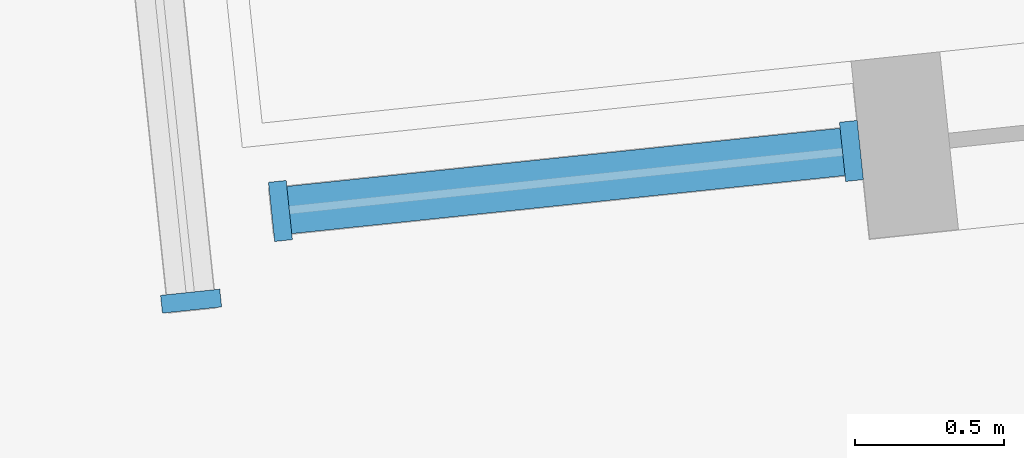
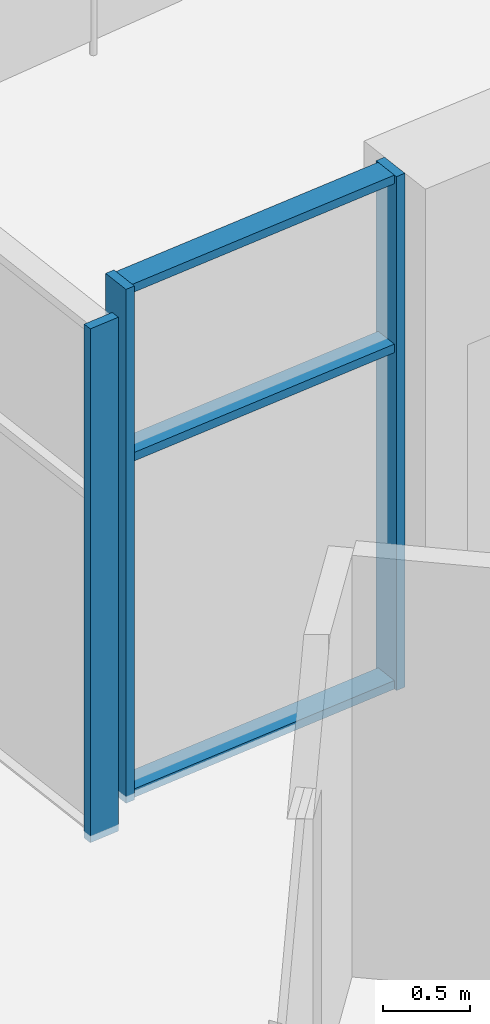
# One storey, part 2 of 14: 6 members, 2 elements without a shape of their own.
"""IFC4 building model written with IfcOpenShell, lengths in metres."""

from ifc_helpers import new_model, si_unit, direction, frame, origin, origin_2d, place, context, subcontext, project, spatial, rectangle, extrude, material, material_profile, profile_set, type_object, element, aggregate, save


model = new_model("IFC4")

# Units and contexts
model_context = context("Model", 3, precision=1e-05, world=origin(), true_north=direction((0.0, 1.0)))
body_context = subcontext(model_context, "Body", "Model", "MODEL_VIEW")
ifc_project = project(units=[si_unit("LENGTHUNIT", "METRE"), si_unit("AREAUNIT", "SQUARE_METRE"), si_unit("VOLUMEUNIT", "CUBIC_METRE"), si_unit("PLANEANGLEUNIT", "RADIAN"), si_unit("MASSUNIT", "GRAM", prefix="KILO")], contexts=[model_context])

# Site, building, storey
site_placement = place(None, origin())
site = spatial("IfcSite", under=ifc_project, at=site_placement, CompositionType="ELEMENT")
building_placement = place(site_placement, origin())
building = spatial("IfcBuilding", under=site, at=building_placement, Name="Dilmun Exchange Tower", CompositionType="ELEMENT")
storey_placement = place(building_placement, frame((0.0, 0.0, 225.300048828125)))
storey = spatial("IfcBuildingStorey", under=building, at=storey_placement, Name="L53", CompositionType="ELEMENT", Elevation=225.300048828125)

# Curtain wall, members
ifc_material_1 = material(Name="Anodised aluminium and clear glass", Category="aluminium")
curtain_wall_type = type_object("IfcCurtainWallType", Name="Garden corner glazing", PredefinedType="NOTDEFINED", material=ifc_material_1)
curtain_wall_1_placement = place(storey_placement, origin())
curtain_wall_1 = element("IfcCurtainWall", 1, at=curtain_wall_1_placement, inside=storey, type_object=curtain_wall_type, Name="Garden corner glazing run GC2.3", PredefinedType="NOTDEFINED")
ifc_material_2 = material(Name="Anodised aluminium", Category="aluminium")
ifc_material_profile_1 = material_profile(ifc_material_2, rectangle(XDim=0.199951171875, YDim=0.06005859375, at=origin_2d()), Name="AL 60x200")
ifc_profile_set_1 = profile_set([ifc_material_profile_1], Name="Anodised aluminium")
member_type_1 = type_object("IfcMemberType", Name="Garden corner glazing mullion 60 x 200", PredefinedType="MULLION", material=ifc_profile_set_1)
member_1_placement = place(storey_placement, frame((-1.4404296875, 29.06396484375, 0.0), z_axis=(0.0, 0.0, 1.0), x_axis=(0.104519911481, -0.99452279416, 0.0)))
member_1 = element("IfcMember", 2, at=member_1_placement, type_object=member_type_1, Name="GC2.3 mullion 1", PredefinedType="MULLION", context=body_context, shape_type="SweptSolid", body=[
    extrude(rectangle(XDim=0.199951171875, YDim=0.06005859375, at=origin_2d()), origin(), (0.0, 0.0, 1.0), 3.619873046875),
])
member_2_placement = place(storey_placement, frame((-3.35888671875, 28.8623046875, 0.0), z_axis=(0.0, 0.0, 1.0), x_axis=(0.104519911481, -0.99452279416, 0.0)))
member_2 = element("IfcMember", 3, at=member_2_placement, type_object=member_type_1, Name="GC2.3 mullion 2", PredefinedType="MULLION", context=body_context, shape_type="SweptSolid", body=[
    extrude(rectangle(XDim=0.199951171875, YDim=0.06005859375, at=origin_2d()), origin(), (0.0, 0.0, 1.0), 3.619873046875),
])

# Curtain wall, member
curtain_wall_2_placement = place(storey_placement, origin())
curtain_wall_2 = element("IfcCurtainWall", 4, at=curtain_wall_2_placement, inside=storey, type_object=curtain_wall_type, Name="Garden corner glazing run GC3.1", PredefinedType="NOTDEFINED")
member_3_placement = place(storey_placement, frame((-3.658935546875, 28.559326171875, 0.0), z_axis=(0.0, 0.0, 1.0), x_axis=(-0.994520705874, -0.104539779931, 0.0)))
member_3 = element("IfcMember", 5, at=member_3_placement, type_object=member_type_1, Name="GC3.1 mullion 1", PredefinedType="MULLION", context=body_context, shape_type="SweptSolid", body=[
    extrude(rectangle(XDim=0.199951171875, YDim=0.06005859375, at=origin_2d()), origin(), (0.0, 0.0, 1.0), 3.619873046875),
])
aggregate(curtain_wall_2, [member_3])

# Member
ifc_material_profile_2 = material_profile(ifc_material_2, rectangle(XDim=0.159912109375, YDim=0.06005859375, at=origin_2d()), Name="AL 60x160")
ifc_profile_set_2 = profile_set([ifc_material_profile_2], Name="Anodised aluminium")
member_type_2 = type_object("IfcMemberType", Name="Garden corner glazing transom 60 x 160", PredefinedType="USERDEFINED", material=ifc_profile_set_2)
member_4_placement = place(storey_placement, frame((-1.47021484375, 29.060791015625, 0.030029296875), z_axis=(-0.994525474721, -0.104494402387, 0.0), x_axis=(0.104494402387, -0.994525474721, 0.0)))
member_4 = element("IfcMember", 6, at=member_4_placement, type_object=member_type_2, Name="GC2.3 transom 1.1", ObjectType="TRANSOM", PredefinedType="USERDEFINED", context=body_context, shape_type="SweptSolid", body=[
    extrude(rectangle(XDim=0.159912109375, YDim=0.06005859375, at=origin_2d()), origin(), (0.0, 0.0, 1.0), 1.869140625),
])

member_5_placement = place(storey_placement, frame((-1.47021484375, 29.060791015625, 2.39990234375), z_axis=(-0.994525474721, -0.104494402387, 0.0), x_axis=(0.104494402387, -0.994525474721, 0.0)))
member_5 = element("IfcMember", 7, at=member_5_placement, type_object=member_type_2, Name="GC2.3 transom 1.2", ObjectType="TRANSOM", PredefinedType="USERDEFINED", context=body_context, shape_type="SweptSolid", body=[
    extrude(rectangle(XDim=0.159912109375, YDim=0.06005859375, at=origin_2d()), origin(), (0.0, 0.0, 1.0), 1.869140625),
])

member_6_placement = place(storey_placement, frame((-1.47021484375, 29.060791015625, 3.58984375), z_axis=(-0.994525474721, -0.104494402387, 0.0), x_axis=(0.104494402387, -0.994525474721, 0.0)))
member_6 = element("IfcMember", 8, at=member_6_placement, type_object=member_type_2, Name="GC2.3 transom 1.3", ObjectType="TRANSOM", PredefinedType="USERDEFINED", context=body_context, shape_type="SweptSolid", body=[
    extrude(rectangle(XDim=0.159912109375, YDim=0.06005859375, at=origin_2d()), origin(), (0.0, 0.0, 1.0), 1.869140625),
])

aggregate(curtain_wall_1, [member_1, member_2, member_4, member_5, member_6])

save(model, "model.ifc")
